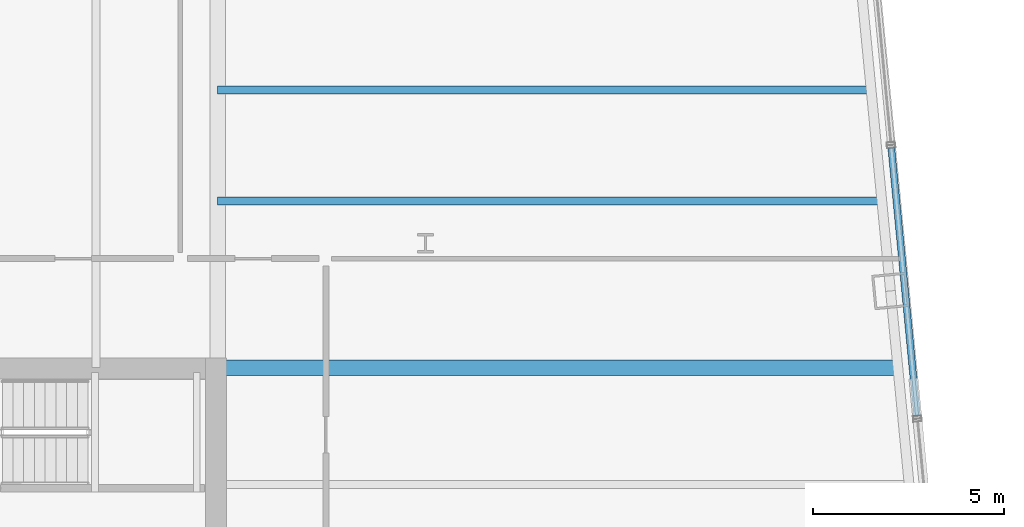
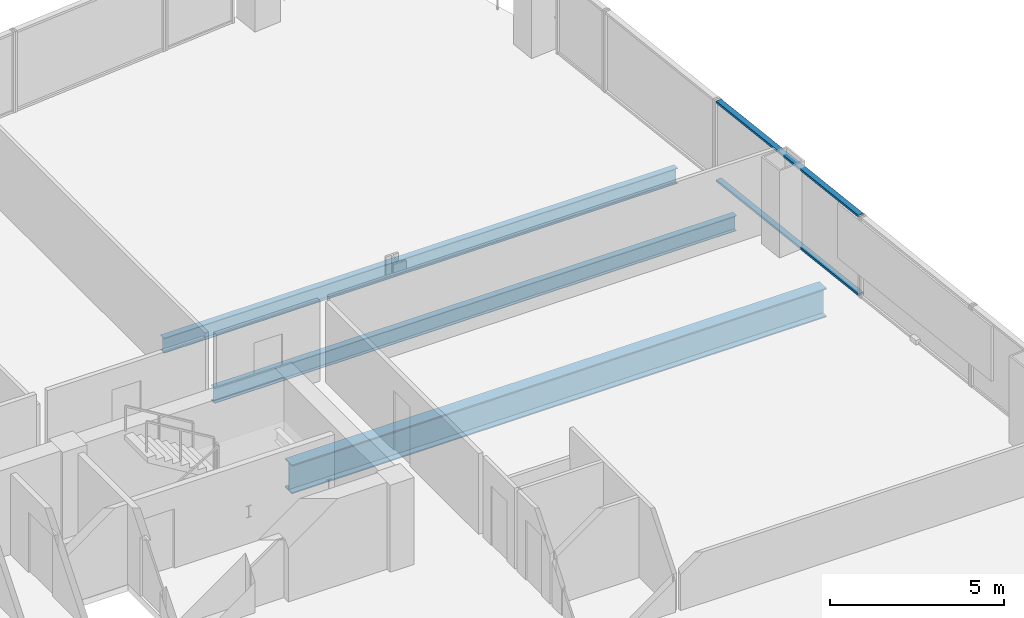
# One storey, part 18 of 27: 3 beams, 2 members, 1 element without a shape of its own.
"""IFC4 building model written with IfcOpenShell, lengths in metres."""

from ifc_helpers import new_model, si_unit, direction, frame, origin, origin_2d, place, context, subcontext, project, spatial, hollow_rectangle, i_section, extrude, material, layer, layer_set, material_profile, profile_set, type_object, element, aggregate, save


model = new_model("IFC4")

# Units and contexts
model_context = context("Model", 3, precision=1e-05, world=origin(), true_north=direction((0.0, 1.0)))
body_context = subcontext(model_context, "Body", "Model", "MODEL_VIEW")
ifc_project = project(units=[si_unit("LENGTHUNIT", "METRE"), si_unit("AREAUNIT", "SQUARE_METRE"), si_unit("VOLUMEUNIT", "CUBIC_METRE"), si_unit("PLANEANGLEUNIT", "RADIAN"), si_unit("MASSUNIT", "GRAM", prefix="KILO")], contexts=[model_context])

# Site, building, storey
site_placement = place(None, origin())
site = spatial("IfcSite", under=ifc_project, at=site_placement, CompositionType="ELEMENT")
building_placement = place(site_placement, origin())
building = spatial("IfcBuilding", under=site, at=building_placement, Name="Qhalaya Broadcast Tower", CompositionType="ELEMENT")
storey_placement = place(building_placement, frame((0.0, 0.0, 84.699951171875)))
storey = spatial("IfcBuildingStorey", under=building, at=storey_placement, Name="L24", CompositionType="ELEMENT", Elevation=84.699951171875)

# Beams
ifc_material_1 = material(Name="Structural Steel ASTM A992 Grade 50", Category="steel")
ifc_material_profile_1 = material_profile(ifc_material_1, i_section(OverallWidth=0.2099609375, OverallDepth=0.535888671875, WebThickness=0.010986328125, FlangeThickness=0.017333984375, at=origin_2d()), Name="W21X68")
ifc_profile_set_1 = profile_set([ifc_material_profile_1], Name="Structural Steel ASTM A992 Grade 50")
beam_type_1 = type_object("IfcBeamType", Name="Composite Floor Joist J02", PredefinedType="JOIST", material=ifc_profile_set_1)
beam_1_placement = place(storey_placement, frame((9.375, 14.300048828125, -0.488037109375), z_axis=(1.0, 0.0, 0.0), x_axis=(0.0, 1.0, 0.0)))
element("IfcBeam", 1, at=beam_1_placement, inside=storey, type_object=beam_type_1, Name="L24 J02 L24-JWE6E-1", PredefinedType="JOIST", context=body_context, shape_type="SweptSolid", body=[
    extrude(i_section(OverallWidth=0.2099609375, OverallDepth=0.535888671875, WebThickness=0.010986328125, FlangeThickness=0.017333984375, at=origin_2d()), origin(), (0.0, 0.0, 1.0), 17.3203125),
])
beam_2_placement = place(storey_placement, frame((9.375, 17.199951171875, -0.488037109375), z_axis=(1.0, 0.0, 0.0), x_axis=(0.0, 1.0, 0.0)))
element("IfcBeam", 2, at=beam_2_placement, inside=storey, type_object=beam_type_1, Name="L24 J02 L24-JWE7E-1", PredefinedType="JOIST", context=body_context, shape_type="SweptSolid", body=[
    extrude(i_section(OverallWidth=0.2099609375, OverallDepth=0.535888671875, WebThickness=0.010986328125, FlangeThickness=0.017333984375, at=origin_2d()), origin(), (0.0, 0.0, 1.0), 17.041015625),
])
ifc_material_profile_2 = material_profile(ifc_material_1, i_section(OverallWidth=0.40087890625, OverallDepth=1.010986328125, WebThickness=0.023681640625, FlangeThickness=0.0419921875, at=origin_2d()), Name="W40X297")
ifc_profile_set_2 = profile_set([ifc_material_profile_2], Name="Structural Steel ASTM A992 Grade 50")
beam_type_2 = type_object("IfcBeamType", Name="Lower Block Primary Girder PG2", PredefinedType="USERDEFINED", material=ifc_profile_set_2)
beam_3_placement = place(storey_placement, frame((9.375, 9.949951171875, -0.725341796875), z_axis=(1.0, 0.0, 0.0), x_axis=(0.0, 1.0, 0.0)))
element("IfcBeam", 3, at=beam_3_placement, inside=storey, type_object=beam_type_2, Name="L24 PG2 L24-PGYE4-1", ObjectType="GIRDER", PredefinedType="USERDEFINED", context=body_context, shape_type="SweptSolid", body=[
    extrude(i_section(OverallWidth=0.40087890625, OverallDepth=1.010986328125, WebThickness=0.023681640625, FlangeThickness=0.0419921875, at=origin_2d()), origin(), (0.0, 0.0, 1.0), 17.7392578125),
])

# Curtain wall, members
ifc_material_2 = material(Name="Fired Architectural Terracotta", Category="masonry")
ifc_layer = layer(ifc_material_2, 0.219970703125, Name="Fired Architectural Terracotta")
ifc_layer_set = layer_set([ifc_layer], Name="Fired Architectural Terracotta")
curtain_wall_type = type_object("IfcCurtainWallType", Name="Block-Cap Unitised Terracotta Spandrel Wall CW-07", PredefinedType="NOTDEFINED", material=ifc_layer_set)
curtain_wall_placement = place(storey_placement, origin())
curtain_wall = element("IfcCurtainWall", 4, at=curtain_wall_placement, inside=storey, type_object=curtain_wall_type, Name="L24 Unitised Curtain Wall L24-CW-E5", PredefinedType="NOTDEFINED")
ifc_material_3 = material(Name="Anodised Aluminium 6063-T6", Category="aluminium")
ifc_material_profile_3 = material_profile(ifc_material_3, hollow_rectangle(XDim=0.074951171875, YDim=0.179931640625, WallThickness=0.00390625, at=origin_2d()), Name="ALU-TRN 75x180x4")
ifc_profile_set_3 = profile_set([ifc_material_profile_3], Name="Anodised Aluminium 6063-T6")
member_type = type_object("IfcMemberType", Name="Unitised Curtain-Wall Transom T01", PredefinedType="USERDEFINED", material=ifc_profile_set_3)
member_1_placement = place(storey_placement, frame((27.63720703125, 8.69140625, 0.03759765625), z_axis=(-0.095838119582, 0.995396933306, 0.0), x_axis=(0.0, 0.0, 1.0)))
member_1 = element("IfcMember", 5, at=member_1_placement, type_object=member_type, Name="CW-07 transom 1.1", ObjectType="TRANSOM", PredefinedType="USERDEFINED", context=body_context, shape_type="SweptSolid", body=[
    extrude(hollow_rectangle(XDim=0.074951171875, YDim=0.179931640625, WallThickness=0.00390625, at=origin_2d()), origin(), (0.0, 0.0, 1.0), 7.031005859375),
])
member_2_placement = place(storey_placement, frame((27.63720703125, 8.69140625, 2.79248046875), z_axis=(-0.095838119582, 0.995396933306, 0.0), x_axis=(0.0, 0.0, 1.0)))
member_2 = element("IfcMember", 6, at=member_2_placement, type_object=member_type, Name="CW-07 transom 1.2", ObjectType="TRANSOM", PredefinedType="USERDEFINED", context=body_context, shape_type="SweptSolid", body=[
    extrude(hollow_rectangle(XDim=0.074951171875, YDim=0.179931640625, WallThickness=0.00390625, at=origin_2d()), origin(), (0.0, 0.0, 1.0), 7.031005859375),
])
aggregate(curtain_wall, [member_1, member_2])

save(model, "model.ifc")
